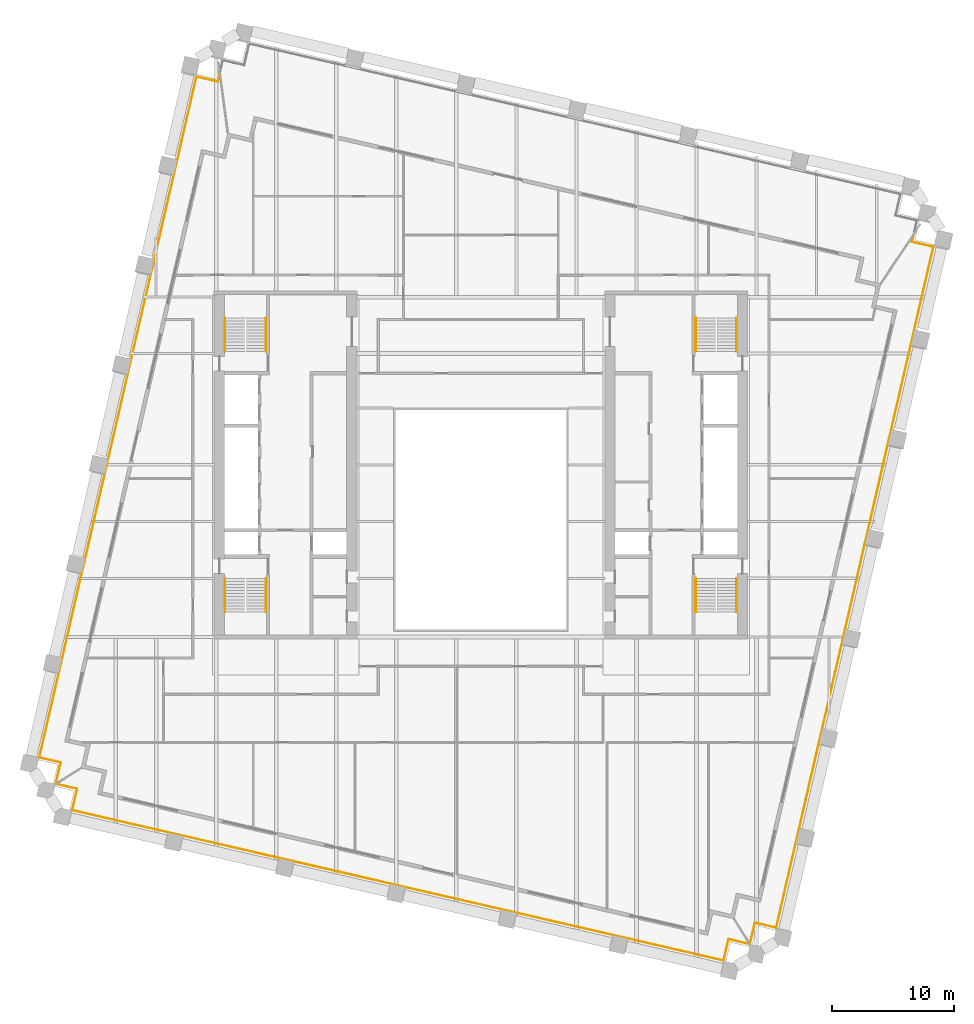
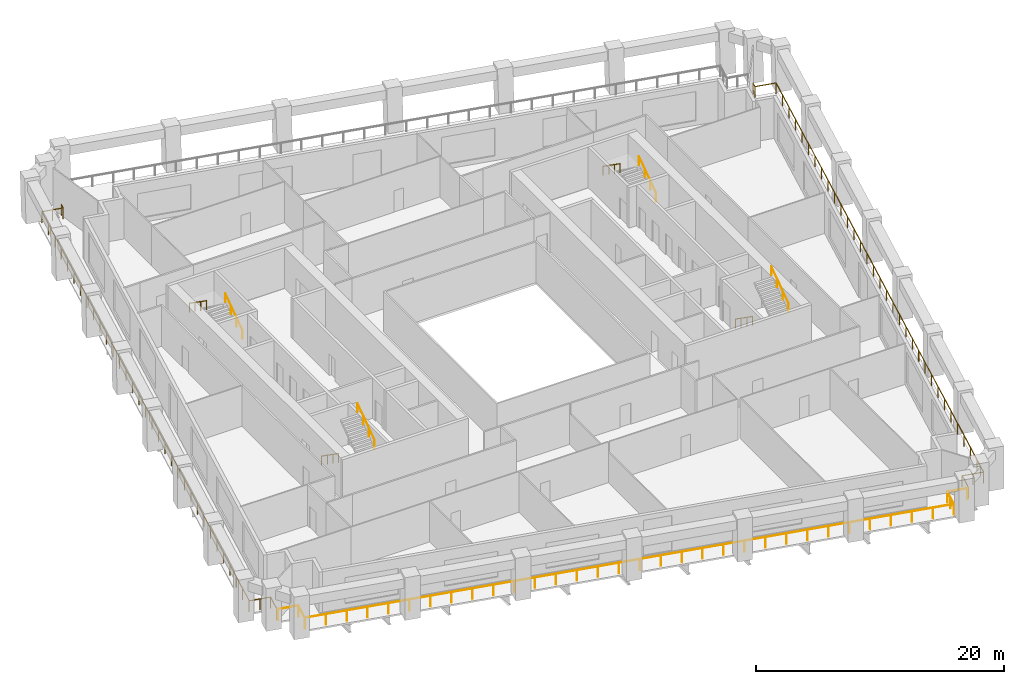
# One storey, part 9 of 10: 11 railings.
"""IFC4 building model written with IfcOpenShell, lengths in metres."""

import ifcopenshell
import ifcopenshell.guid

model = None  # the IFC model being written
_history = None  # IfcOwnerHistory: only IFC2X3 demands one
_inside = {}  # id of a spatial element -> (the spatial element, [elements in it])
_under = {}  # id of a project, library or spatial element -> (it, [spatial elements below it])
_declared = {}  # id of a project -> (the project, [libraries it declares])
_typed = {}  # id of a type object -> (the type object, [elements of that type])
_made_of = {}  # id of a material, layer set ... -> (it, [elements and type objects made of it])


def new_model(schema):
    """Start an empty IFC model of exactly this schema.

    Asked for "IFC4X3", IfcOpenShell would pick the latest addendum, in which some entities
    have other attributes; the version numbers below select the first issue.
    IFC2X3 requires an IfcOwnerHistory on every rooted entity: one is made here for all.
    """
    global model, _history
    if schema == "IFC4X3":
        model = ifcopenshell.file(schema_version=(4, 3, 0, 0))
    else:
        model = ifcopenshell.file(schema=schema)
    _inside.clear()
    _under.clear()
    _declared.clear()
    _typed.clear()
    _made_of.clear()
    _history = None
    if model.schema == "IFC2X3":
        org = make("IfcOrganization", Name="unknown")
        user = make(
            "IfcPersonAndOrganization",
            ThePerson=make("IfcPerson", FamilyName="unknown"),
            TheOrganization=org,
        )
        app = make(
            "IfcApplication",
            ApplicationDeveloper=org,
            Version="unknown",
            ApplicationFullName="unknown",
            ApplicationIdentifier="unknown",
        )
        _history = make(
            "IfcOwnerHistory",
            OwningUser=user,
            OwningApplication=app,
            ChangeAction="ADDED",
            CreationDate=0,
        )
    return model


def make(cls, **values):
    """One entity of the class cls with the attributes given. An attribute that is None is left unset."""
    return model.create_entity(
        cls, **{name: value for name, value in values.items() if value is not None}
    )


def rooted(cls, **values):
    """An entity with a GlobalId (a new one), such as an element, a storey or a relation."""
    return make(cls, GlobalId=ifcopenshell.guid.new(), OwnerHistory=_history, **values)


def si_unit(unit_type, name, prefix=None):
    """IfcSIUnit, for example si_unit("LENGTHUNIT", "METRE", prefix="MILLI")."""
    return make("IfcSIUnit", UnitType=unit_type, Prefix=prefix, Name=name)


def assignment(units):
    """IfcUnitAssignment: the units of a project."""
    return None if units is None else make("IfcUnitAssignment", Units=units)


def point(xyz):
    """IfcCartesianPoint."""
    return None if xyz is None else make("IfcCartesianPoint", Coordinates=xyz)


def direction(xyz):
    """IfcDirection."""
    return None if xyz is None else make("IfcDirection", DirectionRatios=xyz)


def frame(location, z_axis=None, x_axis=None):
    """IfcAxis2Placement3D, a coordinate frame: its origin and axes. An axis left out is left unset."""
    return make(
        "IfcAxis2Placement3D",
        Location=point(location),
        Axis=direction(z_axis),
        RefDirection=direction(x_axis),
    )


def frame_2d(location, x_axis=None):
    """IfcAxis2Placement2D, a coordinate frame in the plane: its origin and x axis."""
    return make(
        "IfcAxis2Placement2D", Location=point(location), RefDirection=direction(x_axis)
    )


def origin():
    """The frame at (0, 0, 0) with its axes left unset."""
    return frame((0.0, 0.0, 0.0))


def origin_2d():
    """The frame at (0, 0) in the plane with its x axis left unset."""
    return frame_2d((0.0, 0.0))


def place(relative_to, where):
    """IfcLocalPlacement: puts the frame where relative to a parent placement (None: the world)."""
    return make(
        "IfcLocalPlacement", PlacementRelTo=relative_to, RelativePlacement=where
    )


def context(
    kind, dimensions, precision=None, world=None, true_north=None, identifier=None
):
    """IfcGeometricRepresentationContext, for example the 3D "Model" context."""
    return make(
        "IfcGeometricRepresentationContext",
        ContextIdentifier=identifier,
        ContextType=kind,
        CoordinateSpaceDimension=dimensions,
        Precision=precision,
        WorldCoordinateSystem=world,
        TrueNorth=true_north,
    )


def subcontext(parent, identifier, kind, view, scale=None):
    """IfcGeometricRepresentationSubContext, for example "Body" below "Model"."""
    return make(
        "IfcGeometricRepresentationSubContext",
        ContextIdentifier=identifier,
        ContextType=kind,
        ParentContext=parent,
        TargetScale=scale,
        TargetView=view,
    )


def project(units=None, contexts=None):
    """IfcProject with its units and contexts."""
    return rooted(
        "IfcProject",
        Name="project",
        RepresentationContexts=contexts,
        UnitsInContext=assignment(units),
    )


def spatial(cls, under=None, at=None, **own):
    """A site, building, storey or space (cls), placed at a placement, below another one or the project."""
    s = rooted(cls, ObjectPlacement=at, **own)
    if under is not None:
        _under.setdefault(under.id(), (under, []))[1].append(s)
    return s


def profile(cls, at=None, kind="AREA", **sizes):
    """A parametric profile (cls). Its sizes go by their IFC names, for example OverallWidth=200.0."""
    return make(cls, ProfileType=kind, Position=at, **sizes)


def circle(**sizes):
    """IfcCircleProfileDef."""
    return profile("IfcCircleProfileDef", **sizes)


def extrude(swept, where, along, depth):
    """IfcExtrudedAreaSolid: the profile swept, set in the frame where, extruded along a direction by depth."""
    return make(
        "IfcExtrudedAreaSolid",
        SweptArea=swept,
        Position=where,
        ExtrudedDirection=direction(along),
        Depth=depth,
    )


def shape(context_of_items, identifier, shape_type, items):
    """IfcShapeRepresentation: the items that make up one representation, for example the "Body"."""
    return make(
        "IfcShapeRepresentation",
        ContextOfItems=context_of_items,
        RepresentationIdentifier=identifier,
        RepresentationType=shape_type,
        Items=items,
    )


def material(Name=None, Category=None):
    """IfcMaterial."""
    return make("IfcMaterial", Name=Name, Category=Category)


def made_of(thing, what):
    """Note that an element or type object is made of a material, layer set ...; save() writes the relation."""
    if what is not None:
        _made_of.setdefault(what.id(), (what, []))[1].append(thing)
    return thing


def type_object(cls, material=None, **own):
    """A type object (cls), such as IfcWallType, which elements share."""
    return made_of(rooted(cls, **own), material)


def element(
    cls,
    number,
    at=None,
    inside=None,
    cuts=None,
    type_object=None,
    material=None,
    context=None,
    identifier="Body",
    shape_type=None,
    held_by="IfcProductDefinitionShape",
    body=None,
    shapes=None,
    **own,
):
    """One element of the class cls, such as IfcWall. Its Tag is "e" and its number.

    at: its placement. inside: the storey or other place that contains it. cuts: it is an
    opening in that element (IfcRelVoidsElement). A single representation is given by context,
    identifier, shape_type and body (its items); several are given by shapes. held_by: the class
    of the entity that holds the representations. save() writes the other relations.
    """
    e = rooted(cls, Tag="e%d" % number, ObjectPlacement=at, **own)
    if body is not None:
        shapes = [shape(context, identifier, shape_type, body)]
    if shapes is not None:
        e.Representation = make(held_by, Representations=shapes)
    if inside is not None:
        _inside.setdefault(inside.id(), (inside, []))[1].append(e)
    if cuts is not None:
        rooted(
            "IfcRelVoidsElement", RelatingBuildingElement=cuts, RelatedOpeningElement=e
        )
    if type_object is not None:
        _typed.setdefault(type_object.id(), (type_object, []))[1].append(e)
    return made_of(e, material)


def aggregate(whole, parts):
    """IfcRelAggregates: a whole, such as a stair, and the parts it consists of."""
    return rooted("IfcRelAggregates", RelatingObject=whole, RelatedObjects=parts)


def save(model, path):
    """Write the relations noted so far, then the file.

    IfcRelAggregates (storeys below a building ...), IfcRelContainedInSpatialStructure (elements
    in a storey), IfcRelDefinesByType, IfcRelAssociatesMaterial and IfcRelDeclares: one each for
    every whole, place, type object, material and project.
    """
    for whole, parts in _under.values():
        aggregate(whole, parts)
    for where, things in _inside.values():
        rooted(
            "IfcRelContainedInSpatialStructure",
            RelatedElements=things,
            RelatingStructure=where,
        )
    for kind, things in _typed.values():
        rooted("IfcRelDefinesByType", RelatedObjects=things, RelatingType=kind)
    for what, things in _made_of.values():
        rooted("IfcRelAssociatesMaterial", RelatedObjects=things, RelatingMaterial=what)
    for by, libraries in _declared.values():
        rooted("IfcRelDeclares", RelatingContext=by, RelatedDefinitions=libraries)
    model.write(path)


model = new_model("IFC4")

# Units and contexts
model_context = context("Model", 3, precision=1e-05, world=origin(), true_north=direction((0.0, 1.0)))
body_context = subcontext(model_context, "Body", "Model", "MODEL_VIEW")
ifc_project = project(units=[si_unit("LENGTHUNIT", "METRE"), si_unit("AREAUNIT", "SQUARE_METRE"), si_unit("VOLUMEUNIT", "CUBIC_METRE"), si_unit("PLANEANGLEUNIT", "RADIAN"), si_unit("MASSUNIT", "GRAM", prefix="KILO")], contexts=[model_context])

# Site, building, storey
site_placement = place(None, origin())
site = spatial("IfcSite", under=ifc_project, at=site_placement, CompositionType="ELEMENT")
building_placement = place(site_placement, origin())
building = spatial("IfcBuilding", under=site, at=building_placement, Name="Ogive Exchange Tower", CompositionType="ELEMENT")
storey_placement = place(building_placement, frame((0.0, 0.0, 143.39990234375)))
storey = spatial("IfcBuildingStorey", under=building, at=storey_placement, Name="L31", CompositionType="ELEMENT", Elevation=143.39990234375)

# Railings
ifc_material_1 = material(Name="Stainless steel 316", Category="steel")
railing_type_1 = type_object("IfcRailingType", Name="Guard 1100 stainless steel and glass", PredefinedType="GUARDRAIL", material=ifc_material_1)
railing_1_placement = place(storey_placement, frame((21.947265625, -27.74462890625, -0.0498046875)))
element("IfcRailing", 1, at=railing_1_placement, inside=storey, type_object=railing_type_1, Name="Loggia guard 1", PredefinedType="GUARDRAIL", context=body_context, shape_type="SweptSolid", body=[
    extrude(circle(Radius=0.02392578125, at=origin_2d()), frame((0.0, 0.0, 1.076171875), z_axis=(-0.974396013545, 0.224838628327, 0.0), x_axis=(-0.224838628327, -0.974396013545, 0.0)), (0.0, 0.0, 1.0), 1.7080078125),
    extrude(circle(Radius=0.02392578125, at=origin_2d()), frame((-1.664306640625, 0.384033203125, 1.076171875), z_axis=(-0.225008086135, -0.974356896201, 0.0), x_axis=(0.974356896201, -0.225008086135, 0.0)), (0.0, 0.0, 1.0), 1.800048828125),
    extrude(circle(Radius=0.02392578125, at=origin_2d()), frame((-2.0693359375, -1.369873046875, 1.076171875), z_axis=(-0.974368873975, 0.224956212247, 0.0), x_axis=(-0.224956212247, -0.974368873975, 0.0)), (0.0, 0.0, 1.0), 54.760009765625),
    extrude(circle(Radius=0.02392578125, at=origin_2d()), frame((-55.42578125, 10.94873046875, 1.076171875), z_axis=(0.22503782496, 0.974350028141, 0.0), x_axis=(-0.974350028141, 0.22503782496, 0.0)), (0.0, 0.0, 1.0), 1.7998046875),
    extrude(circle(Radius=0.02392578125, at=origin_2d()), frame((-55.020751953125, 12.702392578125, 1.076171875), z_axis=(-0.974364690374, 0.224974332206, 0.0), x_axis=(-0.224974332206, -0.974364690374, 0.0)), (0.0, 0.0, 1.0), 1.7080078125),
    extrude(circle(Radius=0.02099609375, at=origin_2d()), origin(), (0.0, 0.0, 1.0), 1.052001953125),
    extrude(circle(Radius=0.02099609375, at=origin_2d()), frame((-1.664306640625, 0.384033203125, 0.0)), (0.0, 0.0, 1.0), 1.052001953125),
    extrude(circle(Radius=0.02099609375, at=origin_2d()), frame((-1.86669921875, -0.492919921875, 0.0)), (0.0, 0.0, 1.0), 1.052001953125),
    extrude(circle(Radius=0.02099609375, at=origin_2d()), frame((-2.0693359375, -1.369873046875, 0.0)), (0.0, 0.0, 1.0), 1.052001953125),
    extrude(circle(Radius=0.02099609375, at=origin_2d()), frame((-3.79052734375, -0.972412109375, 0.0)), (0.0, 0.0, 1.0), 1.052001953125),
    extrude(circle(Radius=0.02099609375, at=origin_2d()), frame((-5.51171875, -0.5751953125, 0.0)), (0.0, 0.0, 1.0), 1.052001953125),
    extrude(circle(Radius=0.02099609375, at=origin_2d()), frame((-7.23291015625, -0.177734375, 0.0)), (0.0, 0.0, 1.0), 1.052001953125),
    extrude(circle(Radius=0.02099609375, at=origin_2d()), frame((-8.9541015625, 0.2197265625, 0.0)), (0.0, 0.0, 1.0), 1.052001953125),
    extrude(circle(Radius=0.02099609375, at=origin_2d()), frame((-10.67529296875, 0.616943359375, 0.0)), (0.0, 0.0, 1.0), 1.052001953125),
    extrude(circle(Radius=0.02099609375, at=origin_2d()), frame((-12.396484375, 1.014404296875, 0.0)), (0.0, 0.0, 1.0), 1.052001953125),
    extrude(circle(Radius=0.02099609375, at=origin_2d()), frame((-14.11767578125, 1.411865234375, 0.0)), (0.0, 0.0, 1.0), 1.052001953125),
    extrude(circle(Radius=0.02099609375, at=origin_2d()), frame((-15.838623046875, 1.80908203125, 0.0)), (0.0, 0.0, 1.0), 1.052001953125),
    extrude(circle(Radius=0.02099609375, at=origin_2d()), frame((-17.559814453125, 2.20654296875, 0.0)), (0.0, 0.0, 1.0), 1.052001953125),
    extrude(circle(Radius=0.02099609375, at=origin_2d()), frame((-19.281005859375, 2.603759765625, 0.0)), (0.0, 0.0, 1.0), 1.052001953125),
    extrude(circle(Radius=0.02099609375, at=origin_2d()), frame((-21.002197265625, 3.001220703125, 0.0)), (0.0, 0.0, 1.0), 1.052001953125),
    extrude(circle(Radius=0.02099609375, at=origin_2d()), frame((-22.723388671875, 3.398681640625, 0.0)), (0.0, 0.0, 1.0), 1.052001953125),
    extrude(circle(Radius=0.02099609375, at=origin_2d()), frame((-24.444580078125, 3.7958984375, 0.0)), (0.0, 0.0, 1.0), 1.052001953125),
    extrude(circle(Radius=0.02099609375, at=origin_2d()), frame((-26.165771484375, 4.193359375, 0.0)), (0.0, 0.0, 1.0), 1.052001953125),
    extrude(circle(Radius=0.02099609375, at=origin_2d()), frame((-27.886962890625, 4.5908203125, 0.0)), (0.0, 0.0, 1.0), 1.052001953125),
    extrude(circle(Radius=0.02099609375, at=origin_2d()), frame((-29.608154296875, 4.988037109375, 0.0)), (0.0, 0.0, 1.0), 1.052001953125),
    extrude(circle(Radius=0.02099609375, at=origin_2d()), frame((-31.329345703125, 5.385498046875, 0.0)), (0.0, 0.0, 1.0), 1.052001953125),
    extrude(circle(Radius=0.02099609375, at=origin_2d()), frame((-33.050537109375, 5.782958984375, 0.0)), (0.0, 0.0, 1.0), 1.052001953125),
    extrude(circle(Radius=0.02099609375, at=origin_2d()), frame((-34.771728515625, 6.18017578125, 0.0)), (0.0, 0.0, 1.0), 1.052001953125),
    extrude(circle(Radius=0.02099609375, at=origin_2d()), frame((-36.492919921875, 6.57763671875, 0.0)), (0.0, 0.0, 1.0), 1.052001953125),
    extrude(circle(Radius=0.02099609375, at=origin_2d()), frame((-38.214111328125, 6.97509765625, 0.0)), (0.0, 0.0, 1.0), 1.052001953125),
    extrude(circle(Radius=0.02099609375, at=origin_2d()), frame((-39.935302734375, 7.372314453125, 0.0)), (0.0, 0.0, 1.0), 1.052001953125),
    extrude(circle(Radius=0.02099609375, at=origin_2d()), frame((-41.656494140625, 7.769775390625, 0.0)), (0.0, 0.0, 1.0), 1.052001953125),
    extrude(circle(Radius=0.02099609375, at=origin_2d()), frame((-43.37744140625, 8.1669921875, 0.0)), (0.0, 0.0, 1.0), 1.052001953125),
    extrude(circle(Radius=0.02099609375, at=origin_2d()), frame((-45.0986328125, 8.564453125, 0.0)), (0.0, 0.0, 1.0), 1.052001953125),
    extrude(circle(Radius=0.02099609375, at=origin_2d()), frame((-46.81982421875, 8.9619140625, 0.0)), (0.0, 0.0, 1.0), 1.052001953125),
    extrude(circle(Radius=0.02099609375, at=origin_2d()), frame((-48.541015625, 9.359130859375, 0.0)), (0.0, 0.0, 1.0), 1.052001953125),
    extrude(circle(Radius=0.02099609375, at=origin_2d()), frame((-50.26220703125, 9.756591796875, 0.0)), (0.0, 0.0, 1.0), 1.052001953125),
    extrude(circle(Radius=0.02099609375, at=origin_2d()), frame((-51.9833984375, 10.154052734375, 0.0)), (0.0, 0.0, 1.0), 1.052001953125),
    extrude(circle(Radius=0.02099609375, at=origin_2d()), frame((-53.70458984375, 10.55126953125, 0.0)), (0.0, 0.0, 1.0), 1.052001953125),
    extrude(circle(Radius=0.02099609375, at=origin_2d()), frame((-55.42578125, 10.94873046875, 0.0)), (0.0, 0.0, 1.0), 1.052001953125),
    extrude(circle(Radius=0.02099609375, at=origin_2d()), frame((-55.020751953125, 12.702392578125, 0.0)), (0.0, 0.0, 1.0), 1.052001953125),
    extrude(circle(Radius=0.02099609375, at=origin_2d()), frame((-56.68505859375, 13.086669921875, 0.0)), (0.0, 0.0, 1.0), 1.052001953125),
])
railing_2_placement = place(storey_placement, frame((-34.806884765625, -14.547607421875, -0.0498046875)))
element("IfcRailing", 2, at=railing_2_placement, inside=storey, type_object=railing_type_1, Name="Loggia guard 2", PredefinedType="GUARDRAIL", context=body_context, shape_type="SweptSolid", body=[
    extrude(circle(Radius=0.02392578125, at=origin_2d()), frame((0.0, 0.0, 1.076171875), z_axis=(0.224974332206, 0.974364690374, 0.0), x_axis=(-0.974364690374, 0.224974332206, 0.0)), (0.0, 0.0, 1.0), 1.7080078125),
    extrude(circle(Radius=0.02392578125, at=origin_2d()), frame((0.38427734375, 1.664306640625, 1.076171875), z_axis=(-0.974386623598, 0.224879318197, 0.0), x_axis=(-0.224879318197, -0.974386623598, 0.0)), (0.0, 0.0, 1.0), 1.800048828125),
    extrude(circle(Radius=0.02392578125, at=origin_2d()), frame((-1.36962890625, 2.069091796875, 1.076171875), z_axis=(0.22495295398, 0.974369626218, 0.0), x_axis=(-0.974369626218, 0.22495295398, 0.0)), (0.0, 0.0, 1.0), 57.24169921875),
    extrude(circle(Radius=0.02392578125, at=origin_2d()), frame((11.507080078125, 57.84375, 1.076171875), z_axis=(0.974386623598, -0.224879318197, 0.0), x_axis=(0.224879318197, 0.974386623598, 0.0)), (0.0, 0.0, 1.0), 1.800048828125),
    extrude(circle(Radius=0.02392578125, at=origin_2d()), frame((13.260986328125, 57.43896484375, 1.076171875), z_axis=(0.224930314273, 0.974374852775, 0.0), x_axis=(-0.974374852775, 0.224930314273, 0.0)), (0.0, 0.0, 1.0), 0.503662109375),
    extrude(circle(Radius=0.02099609375, at=origin_2d()), origin(), (0.0, 0.0, 1.0), 1.052001953125),
    extrude(circle(Radius=0.02099609375, at=origin_2d()), frame((0.38427734375, 1.664306640625, 0.0)), (0.0, 0.0, 1.0), 1.052001953125),
    extrude(circle(Radius=0.02099609375, at=origin_2d()), frame((-0.49267578125, 1.86669921875, 0.0)), (0.0, 0.0, 1.0), 1.052001953125),
    extrude(circle(Radius=0.02099609375, at=origin_2d()), frame((-1.36962890625, 2.069091796875, 0.0)), (0.0, 0.0, 1.0), 1.052001953125),
    extrude(circle(Radius=0.02099609375, at=origin_2d()), frame((-0.96728515625, 3.81201171875, 0.0)), (0.0, 0.0, 1.0), 1.052001953125),
    extrude(circle(Radius=0.02099609375, at=origin_2d()), frame((-0.56494140625, 5.554931640625, 0.0)), (0.0, 0.0, 1.0), 1.052001953125),
    extrude(circle(Radius=0.02099609375, at=origin_2d()), frame((-0.162353515625, 7.2978515625, 0.0)), (0.0, 0.0, 1.0), 1.052001953125),
    extrude(circle(Radius=0.02099609375, at=origin_2d()), frame((0.239990234375, 9.041015625, 0.0)), (0.0, 0.0, 1.0), 1.052001953125),
    extrude(circle(Radius=0.02099609375, at=origin_2d()), frame((0.642333984375, 10.783935546875, 0.0)), (0.0, 0.0, 1.0), 1.052001953125),
    extrude(circle(Radius=0.02099609375, at=origin_2d()), frame((1.044677734375, 12.52685546875, 0.0)), (0.0, 0.0, 1.0), 1.052001953125),
    extrude(circle(Radius=0.02099609375, at=origin_2d()), frame((1.447265625, 14.269775390625, 0.0)), (0.0, 0.0, 1.0), 1.052001953125),
    extrude(circle(Radius=0.02099609375, at=origin_2d()), frame((1.849609375, 16.0126953125, 0.0)), (0.0, 0.0, 1.0), 1.052001953125),
    extrude(circle(Radius=0.02099609375, at=origin_2d()), frame((2.251953125, 17.755615234375, 0.0)), (0.0, 0.0, 1.0), 1.052001953125),
    extrude(circle(Radius=0.02099609375, at=origin_2d()), frame((2.654296875, 19.498779296875, 0.0)), (0.0, 0.0, 1.0), 1.052001953125),
    extrude(circle(Radius=0.02099609375, at=origin_2d()), frame((3.056640625, 21.24169921875, 0.0)), (0.0, 0.0, 1.0), 1.052001953125),
    extrude(circle(Radius=0.02099609375, at=origin_2d()), frame((3.459228515625, 22.984619140625, 0.0)), (0.0, 0.0, 1.0), 1.052001953125),
    extrude(circle(Radius=0.02099609375, at=origin_2d()), frame((3.861572265625, 24.7275390625, 0.0)), (0.0, 0.0, 1.0), 1.052001953125),
    extrude(circle(Radius=0.02099609375, at=origin_2d()), frame((4.263916015625, 26.470458984375, 0.0)), (0.0, 0.0, 1.0), 1.052001953125),
    extrude(circle(Radius=0.02099609375, at=origin_2d()), frame((4.666259765625, 28.21337890625, 0.0)), (0.0, 0.0, 1.0), 1.052001953125),
    extrude(circle(Radius=0.02099609375, at=origin_2d()), frame((5.06884765625, 29.95654296875, 0.0)), (0.0, 0.0, 1.0), 1.052001953125),
    extrude(circle(Radius=0.02099609375, at=origin_2d()), frame((5.47119140625, 31.699462890625, 0.0)), (0.0, 0.0, 1.0), 1.052001953125),
    extrude(circle(Radius=0.02099609375, at=origin_2d()), frame((5.87353515625, 33.4423828125, 0.0)), (0.0, 0.0, 1.0), 1.052001953125),
    extrude(circle(Radius=0.02099609375, at=origin_2d()), frame((6.27587890625, 35.185302734375, 0.0)), (0.0, 0.0, 1.0), 1.052001953125),
    extrude(circle(Radius=0.02099609375, at=origin_2d()), frame((6.67822265625, 36.92822265625, 0.0)), (0.0, 0.0, 1.0), 1.052001953125),
    extrude(circle(Radius=0.02099609375, at=origin_2d()), frame((7.080810546875, 38.671142578125, 0.0)), (0.0, 0.0, 1.0), 1.052001953125),
    extrude(circle(Radius=0.02099609375, at=origin_2d()), frame((7.483154296875, 40.4140625, 0.0)), (0.0, 0.0, 1.0), 1.052001953125),
    extrude(circle(Radius=0.02099609375, at=origin_2d()), frame((7.885498046875, 42.1572265625, 0.0)), (0.0, 0.0, 1.0), 1.052001953125),
    extrude(circle(Radius=0.02099609375, at=origin_2d()), frame((8.287841796875, 43.900146484375, 0.0)), (0.0, 0.0, 1.0), 1.052001953125),
    extrude(circle(Radius=0.02099609375, at=origin_2d()), frame((8.690185546875, 45.64306640625, 0.0)), (0.0, 0.0, 1.0), 1.052001953125),
    extrude(circle(Radius=0.02099609375, at=origin_2d()), frame((9.0927734375, 47.385986328125, 0.0)), (0.0, 0.0, 1.0), 1.052001953125),
    extrude(circle(Radius=0.02099609375, at=origin_2d()), frame((9.4951171875, 49.12890625, 0.0)), (0.0, 0.0, 1.0), 1.052001953125),
    extrude(circle(Radius=0.02099609375, at=origin_2d()), frame((9.8974609375, 50.871826171875, 0.0)), (0.0, 0.0, 1.0), 1.052001953125),
    extrude(circle(Radius=0.02099609375, at=origin_2d()), frame((10.2998046875, 52.614990234375, 0.0)), (0.0, 0.0, 1.0), 1.052001953125),
    extrude(circle(Radius=0.02099609375, at=origin_2d()), frame((10.702392578125, 54.35791015625, 0.0)), (0.0, 0.0, 1.0), 1.052001953125),
    extrude(circle(Radius=0.02099609375, at=origin_2d()), frame((11.104736328125, 56.100830078125, 0.0)), (0.0, 0.0, 1.0), 1.052001953125),
    extrude(circle(Radius=0.02099609375, at=origin_2d()), frame((11.507080078125, 57.84375, 0.0)), (0.0, 0.0, 1.0), 1.052001953125),
    extrude(circle(Radius=0.02099609375, at=origin_2d()), frame((12.384033203125, 57.641357421875, 0.0)), (0.0, 0.0, 1.0), 1.052001953125),
    extrude(circle(Radius=0.02099609375, at=origin_2d()), frame((13.260986328125, 57.43896484375, 0.0)), (0.0, 0.0, 1.0), 1.052001953125),
    extrude(circle(Radius=0.02099609375, at=origin_2d()), frame((13.374267578125, 57.9296875, 0.0)), (0.0, 0.0, 1.0), 1.052001953125),
])
railing_3_placement = place(storey_placement, frame((35.431640625, 30.25390625, -0.0498046875)))
element("IfcRailing", 3, at=railing_3_placement, inside=storey, type_object=railing_type_1, Name="Loggia guard 4", PredefinedType="GUARDRAIL", context=body_context, shape_type="SweptSolid", body=[
    extrude(circle(Radius=0.02392578125, at=origin_2d()), frame((0.0, 0.0, 1.076171875), z_axis=(-0.224930314273, -0.974374852775, 0.0), x_axis=(0.974374852775, -0.224930314273, 0.0)), (0.0, 0.0, 1.0), 0.503662109375),
    extrude(circle(Radius=0.02392578125, at=origin_2d()), frame((-0.11328125, -0.49072265625, 1.076171875), z_axis=(0.974379763188, -0.224909041816, 0.0), x_axis=(0.224909041816, 0.974379763188, 0.0)), (0.0, 0.0, 1.0), 1.7998046875),
    extrude(circle(Radius=0.02392578125, at=origin_2d()), frame((1.640380859375, -0.8955078125, 1.076171875), z_axis=(-0.224947969894, -0.974370776881, 0.0), x_axis=(0.974370776881, -0.224947969894, 0.0)), (0.0, 0.0, 1.0), 57.241943359375),
    extrude(circle(Radius=0.02392578125, at=origin_2d()), frame((-11.236083984375, -56.67041015625, 1.076171875), z_axis=(-0.974356896201, 0.225008086135, 0.0), x_axis=(-0.225008086135, -0.974356896201, 0.0)), (0.0, 0.0, 1.0), 1.800048828125),
    extrude(circle(Radius=0.02392578125, at=origin_2d()), frame((-12.989990234375, -56.265380859375, 1.076171875), z_axis=(-0.224974332206, -0.974364690374, 0.0), x_axis=(0.974364690374, -0.224974332206, 0.0)), (0.0, 0.0, 1.0), 1.7080078125),
    extrude(circle(Radius=0.02099609375, at=origin_2d()), origin(), (0.0, 0.0, 1.0), 1.052001953125),
    extrude(circle(Radius=0.02099609375, at=origin_2d()), frame((-0.11328125, -0.49072265625, 0.0)), (0.0, 0.0, 1.0), 1.052001953125),
    extrude(circle(Radius=0.02099609375, at=origin_2d()), frame((1.640380859375, -0.8955078125, 0.0)), (0.0, 0.0, 1.0), 1.052001953125),
    extrude(circle(Radius=0.02099609375, at=origin_2d()), frame((1.238037109375, -2.638427734375, 0.0)), (0.0, 0.0, 1.0), 1.052001953125),
    extrude(circle(Radius=0.02099609375, at=origin_2d()), frame((0.835693359375, -4.38134765625, 0.0)), (0.0, 0.0, 1.0), 1.052001953125),
    extrude(circle(Radius=0.02099609375, at=origin_2d()), frame((0.43310546875, -6.12451171875, 0.0)), (0.0, 0.0, 1.0), 1.052001953125),
    extrude(circle(Radius=0.02099609375, at=origin_2d()), frame((0.03076171875, -7.867431640625, 0.0)), (0.0, 0.0, 1.0), 1.052001953125),
    extrude(circle(Radius=0.02099609375, at=origin_2d()), frame((-0.37158203125, -9.6103515625, 0.0)), (0.0, 0.0, 1.0), 1.052001953125),
    extrude(circle(Radius=0.02099609375, at=origin_2d()), frame((-0.77392578125, -11.353271484375, 0.0)), (0.0, 0.0, 1.0), 1.052001953125),
    extrude(circle(Radius=0.02099609375, at=origin_2d()), frame((-1.17626953125, -13.09619140625, 0.0)), (0.0, 0.0, 1.0), 1.052001953125),
    extrude(circle(Radius=0.02099609375, at=origin_2d()), frame((-1.57861328125, -14.83935546875, 0.0)), (0.0, 0.0, 1.0), 1.052001953125),
    extrude(circle(Radius=0.02099609375, at=origin_2d()), frame((-1.981201171875, -16.582275390625, 0.0)), (0.0, 0.0, 1.0), 1.052001953125),
    extrude(circle(Radius=0.02099609375, at=origin_2d()), frame((-2.383544921875, -18.3251953125, 0.0)), (0.0, 0.0, 1.0), 1.052001953125),
    extrude(circle(Radius=0.02099609375, at=origin_2d()), frame((-2.785888671875, -20.068115234375, 0.0)), (0.0, 0.0, 1.0), 1.052001953125),
    extrude(circle(Radius=0.02099609375, at=origin_2d()), frame((-3.188232421875, -21.81103515625, 0.0)), (0.0, 0.0, 1.0), 1.052001953125),
    extrude(circle(Radius=0.02099609375, at=origin_2d()), frame((-3.590576171875, -23.553955078125, 0.0)), (0.0, 0.0, 1.0), 1.052001953125),
    extrude(circle(Radius=0.02099609375, at=origin_2d()), frame((-3.9931640625, -25.297119140625, 0.0)), (0.0, 0.0, 1.0), 1.052001953125),
    extrude(circle(Radius=0.02099609375, at=origin_2d()), frame((-4.3955078125, -27.0400390625, 0.0)), (0.0, 0.0, 1.0), 1.052001953125),
    extrude(circle(Radius=0.02099609375, at=origin_2d()), frame((-4.7978515625, -28.782958984375, 0.0)), (0.0, 0.0, 1.0), 1.052001953125),
    extrude(circle(Radius=0.02099609375, at=origin_2d()), frame((-5.2001953125, -30.52587890625, 0.0)), (0.0, 0.0, 1.0), 1.052001953125),
    extrude(circle(Radius=0.02099609375, at=origin_2d()), frame((-5.6025390625, -32.268798828125, 0.0)), (0.0, 0.0, 1.0), 1.052001953125),
    extrude(circle(Radius=0.02099609375, at=origin_2d()), frame((-6.005126953125, -34.011962890625, 0.0)), (0.0, 0.0, 1.0), 1.052001953125),
    extrude(circle(Radius=0.02099609375, at=origin_2d()), frame((-6.407470703125, -35.7548828125, 0.0)), (0.0, 0.0, 1.0), 1.052001953125),
    extrude(circle(Radius=0.02099609375, at=origin_2d()), frame((-6.809814453125, -37.497802734375, 0.0)), (0.0, 0.0, 1.0), 1.052001953125),
    extrude(circle(Radius=0.02099609375, at=origin_2d()), frame((-7.212158203125, -39.24072265625, 0.0)), (0.0, 0.0, 1.0), 1.052001953125),
    extrude(circle(Radius=0.02099609375, at=origin_2d()), frame((-7.614501953125, -40.983642578125, 0.0)), (0.0, 0.0, 1.0), 1.052001953125),
    extrude(circle(Radius=0.02099609375, at=origin_2d()), frame((-8.01708984375, -42.7265625, 0.0)), (0.0, 0.0, 1.0), 1.052001953125),
    extrude(circle(Radius=0.02099609375, at=origin_2d()), frame((-8.41943359375, -44.4697265625, 0.0)), (0.0, 0.0, 1.0), 1.052001953125),
    extrude(circle(Radius=0.02099609375, at=origin_2d()), frame((-8.82177734375, -46.212646484375, 0.0)), (0.0, 0.0, 1.0), 1.052001953125),
    extrude(circle(Radius=0.02099609375, at=origin_2d()), frame((-9.22412109375, -47.95556640625, 0.0)), (0.0, 0.0, 1.0), 1.052001953125),
    extrude(circle(Radius=0.02099609375, at=origin_2d()), frame((-9.62646484375, -49.698486328125, 0.0)), (0.0, 0.0, 1.0), 1.052001953125),
    extrude(circle(Radius=0.02099609375, at=origin_2d()), frame((-10.02880859375, -51.44140625, 0.0)), (0.0, 0.0, 1.0), 1.052001953125),
    extrude(circle(Radius=0.02099609375, at=origin_2d()), frame((-10.431396484375, -53.1845703125, 0.0)), (0.0, 0.0, 1.0), 1.052001953125),
    extrude(circle(Radius=0.02099609375, at=origin_2d()), frame((-10.833740234375, -54.927490234375, 0.0)), (0.0, 0.0, 1.0), 1.052001953125),
    extrude(circle(Radius=0.02099609375, at=origin_2d()), frame((-11.236083984375, -56.67041015625, 0.0)), (0.0, 0.0, 1.0), 1.052001953125),
    extrude(circle(Radius=0.02099609375, at=origin_2d()), frame((-12.113037109375, -56.4677734375, 0.0)), (0.0, 0.0, 1.0), 1.052001953125),
    extrude(circle(Radius=0.02099609375, at=origin_2d()), frame((-12.989990234375, -56.265380859375, 0.0)), (0.0, 0.0, 1.0), 1.052001953125),
    extrude(circle(Radius=0.02099609375, at=origin_2d()), frame((-13.374267578125, -57.9296875, 0.0)), (0.0, 0.0, 1.0), 1.052001953125),
])
ifc_material_2 = material(Name="Stainless steel", Category="steel")
railing_type_2 = type_object("IfcRailingType", Name="Stair handrail 900", PredefinedType="HANDRAIL", material=ifc_material_2)
railing_4_placement = place(storey_placement, frame((-20.949951171875, 2.199951171875, 0.175048828125)))
element("IfcRailing", 4, at=railing_4_placement, inside=storey, type_object=railing_type_2, Name="L31 ST1 stair handrail 1", PredefinedType="HANDRAIL", context=body_context, shape_type="SweptSolid", body=[
    extrude(circle(Radius=0.02392578125, at=origin_2d()), frame((0.0, 0.0, 0.8759765625), z_axis=(0.0, -0.819225086817, 0.573472106672), x_axis=(1.0, 0.0, 0.0)), (0.0, 0.0, 1.0), 3.35693359375),
    extrude(circle(Radius=0.02099609375, at=origin_2d()), origin(), (0.0, 0.0, 1.0), 0.851806640625),
    extrude(circle(Radius=0.02099609375, at=origin_2d()), frame((0.0, -0.916748046875, 0.6416015625)), (0.0, 0.0, 1.0), 0.851806640625),
    extrude(circle(Radius=0.02099609375, at=origin_2d()), frame((0.0, -1.833251953125, 1.283447265625)), (0.0, 0.0, 1.0), 0.851806640625),
    extrude(circle(Radius=0.02099609375, at=origin_2d()), frame((0.0, -2.75, 1.925048828125)), (0.0, 0.0, 1.0), 0.851806640625),
])
for number, where, name in (
    (5, (-17.60009765625, -0.550048828125, 2.275146484375), "L31 ST1 stair handrail 2"),
    (6, (-17.60009765625, 20.800048828125, 0.175048828125), "L31 ST2 stair handrail 1"),
):
    element("IfcRailing", number, at=place(storey_placement, frame(where)), inside=storey, type_object=railing_type_2, Name=name, PredefinedType="HANDRAIL", context=body_context, shape_type="SweptSolid", body=[
        extrude(circle(Radius=0.02392578125, at=origin_2d()), frame((0.0, 0.0, 0.8759765625), z_axis=(0.0, 0.819225086817, 0.573472106672), x_axis=(-1.0, 0.0, 0.0)), (0.0, 0.0, 1.0), 3.35693359375),
        extrude(circle(Radius=0.02099609375, at=origin_2d()), origin(), (0.0, 0.0, 1.0), 0.851806640625),
        extrude(circle(Radius=0.02099609375, at=origin_2d()), frame((0.0, 0.916748046875, 0.6416015625)), (0.0, 0.0, 1.0), 0.851806640625),
        extrude(circle(Radius=0.02099609375, at=origin_2d()), frame((0.0, 1.833251953125, 1.283447265625)), (0.0, 0.0, 1.0), 0.851806640625),
        extrude(circle(Radius=0.02099609375, at=origin_2d()), frame((0.0, 2.75, 1.925048828125)), (0.0, 0.0, 1.0), 0.851806640625),
    ])
for number, where, name in (
    (7, (-20.949951171875, 23.550048828125, 2.275146484375), "L31 ST2 stair handrail 2"),
    (8, (17.60009765625, 2.199951171875, 0.175048828125), "L31 ST3 stair handrail 1"),
):
    element("IfcRailing", number, at=place(storey_placement, frame(where)), inside=storey, type_object=railing_type_2, Name=name, PredefinedType="HANDRAIL", context=body_context, shape_type="SweptSolid", body=[
        extrude(circle(Radius=0.02392578125, at=origin_2d()), frame((0.0, 0.0, 0.8759765625), z_axis=(0.0, -0.819225086817, 0.573472106672), x_axis=(1.0, 0.0, 0.0)), (0.0, 0.0, 1.0), 3.35693359375),
        extrude(circle(Radius=0.02099609375, at=origin_2d()), origin(), (0.0, 0.0, 1.0), 0.851806640625),
        extrude(circle(Radius=0.02099609375, at=origin_2d()), frame((0.0, -0.916748046875, 0.6416015625)), (0.0, 0.0, 1.0), 0.851806640625),
        extrude(circle(Radius=0.02099609375, at=origin_2d()), frame((0.0, -1.833251953125, 1.283447265625)), (0.0, 0.0, 1.0), 0.851806640625),
        extrude(circle(Radius=0.02099609375, at=origin_2d()), frame((0.0, -2.75, 1.925048828125)), (0.0, 0.0, 1.0), 0.851806640625),
    ])
for number, where, name in (
    (9, (20.949951171875, -0.550048828125, 2.275146484375), "L31 ST3 stair handrail 2"),
    (10, (20.949951171875, 20.800048828125, 0.175048828125), "L31 ST4 stair handrail 1"),
):
    element("IfcRailing", number, at=place(storey_placement, frame(where)), inside=storey, type_object=railing_type_2, Name=name, PredefinedType="HANDRAIL", context=body_context, shape_type="SweptSolid", body=[
        extrude(circle(Radius=0.02392578125, at=origin_2d()), frame((0.0, 0.0, 0.8759765625), z_axis=(0.0, 0.819225086817, 0.573472106672), x_axis=(-1.0, 0.0, 0.0)), (0.0, 0.0, 1.0), 3.35693359375),
        extrude(circle(Radius=0.02099609375, at=origin_2d()), origin(), (0.0, 0.0, 1.0), 0.851806640625),
        extrude(circle(Radius=0.02099609375, at=origin_2d()), frame((0.0, 0.916748046875, 0.6416015625)), (0.0, 0.0, 1.0), 0.851806640625),
        extrude(circle(Radius=0.02099609375, at=origin_2d()), frame((0.0, 1.833251953125, 1.283447265625)), (0.0, 0.0, 1.0), 0.851806640625),
        extrude(circle(Radius=0.02099609375, at=origin_2d()), frame((0.0, 2.75, 1.925048828125)), (0.0, 0.0, 1.0), 0.851806640625),
    ])
railing_5_placement = place(storey_placement, frame((17.60009765625, 23.550048828125, 2.275146484375)))
element("IfcRailing", 11, at=railing_5_placement, inside=storey, type_object=railing_type_2, Name="L31 ST4 stair handrail 2", PredefinedType="HANDRAIL", context=body_context, shape_type="SweptSolid", body=[
    extrude(circle(Radius=0.02392578125, at=origin_2d()), frame((0.0, 0.0, 0.8759765625), z_axis=(0.0, -0.819225086817, 0.573472106672), x_axis=(1.0, 0.0, 0.0)), (0.0, 0.0, 1.0), 3.35693359375),
    extrude(circle(Radius=0.02099609375, at=origin_2d()), origin(), (0.0, 0.0, 1.0), 0.851806640625),
    extrude(circle(Radius=0.02099609375, at=origin_2d()), frame((0.0, -0.916748046875, 0.6416015625)), (0.0, 0.0, 1.0), 0.851806640625),
    extrude(circle(Radius=0.02099609375, at=origin_2d()), frame((0.0, -1.833251953125, 1.283447265625)), (0.0, 0.0, 1.0), 0.851806640625),
    extrude(circle(Radius=0.02099609375, at=origin_2d()), frame((0.0, -2.75, 1.925048828125)), (0.0, 0.0, 1.0), 0.851806640625),
])

save(model, "model.ifc")
